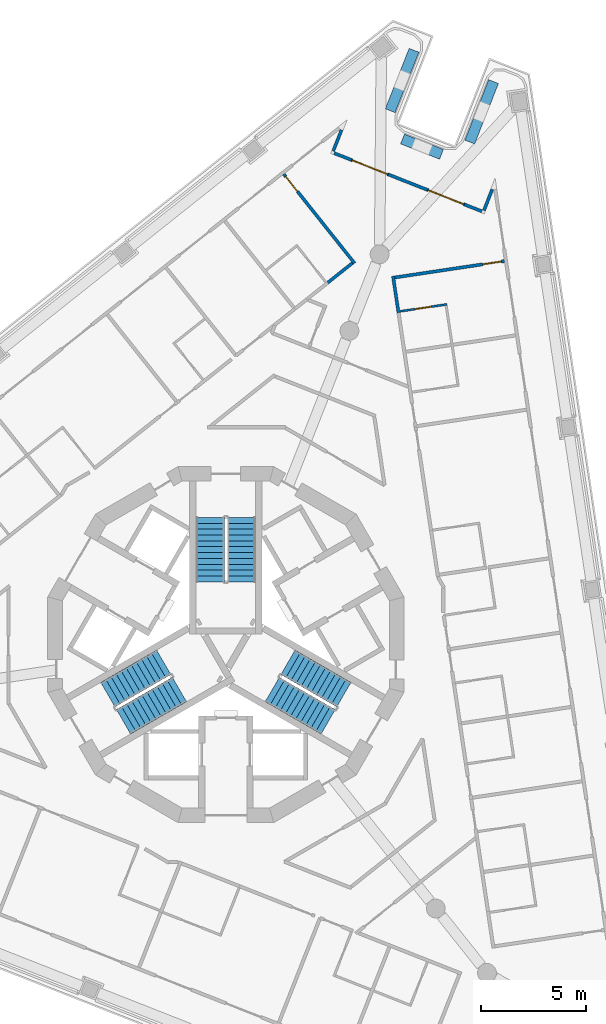
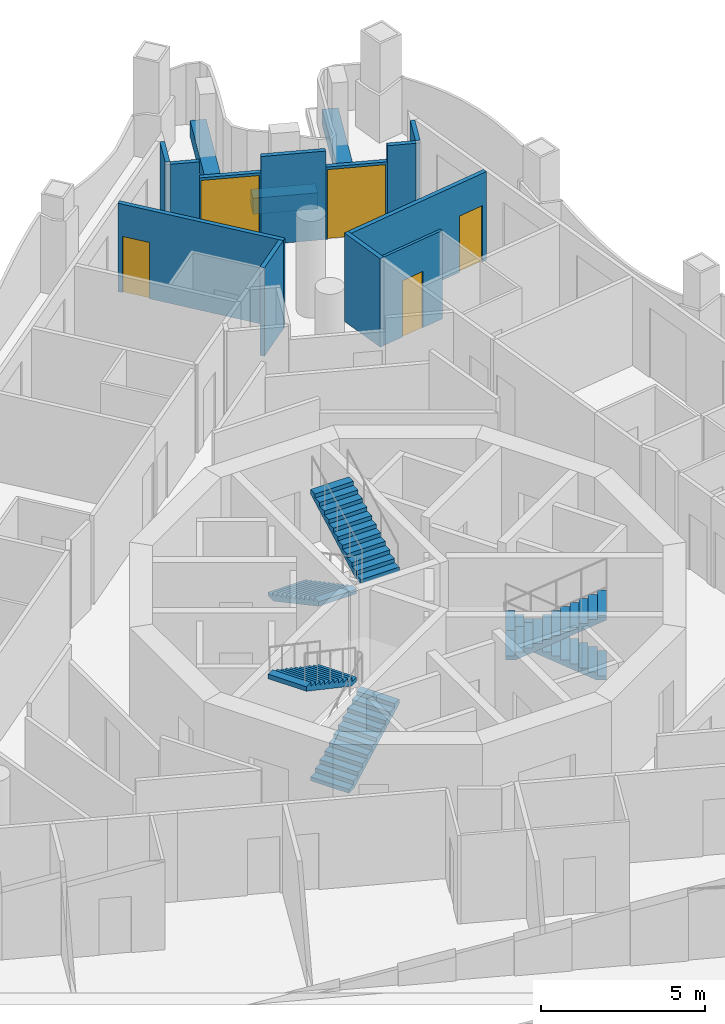
# One storey, part 9 of 16: 15 walls, 6 stair flights, 5 doors, 5 openings, 3 elements without a shape of their own.
"""IFC4 building model written with IfcOpenShell, lengths in metres."""

from ifc_helpers import new_model, si_unit, direction, frame, frame_2d, origin, place, context, subcontext, project, spatial, polyline, rectangle, outline, extrude, material, layer, layer_set, type_object, element, fill, aggregate, save


model = new_model("IFC4")

# Units and contexts
model_context = context("Model", 3, precision=1e-05, world=origin(), true_north=direction((0.0, 1.0)))
body_context = subcontext(model_context, "Body", "Model", "MODEL_VIEW")
ifc_project = project(units=[si_unit("LENGTHUNIT", "METRE"), si_unit("AREAUNIT", "SQUARE_METRE"), si_unit("VOLUMEUNIT", "CUBIC_METRE"), si_unit("PLANEANGLEUNIT", "RADIAN"), si_unit("MASSUNIT", "GRAM", prefix="KILO")], contexts=[model_context])

# Site, building, storey
site_placement = place(None, origin())
site = spatial("IfcSite", under=ifc_project, at=site_placement, CompositionType="ELEMENT")
building_placement = place(site_placement, origin())
building = spatial("IfcBuilding", under=site, at=building_placement, Name="Trine Commons Tower", CompositionType="ELEMENT")
storey_placement = place(building_placement, frame((0.0, 0.0, 223.199951171875)))
storey = spatial("IfcBuildingStorey", under=building, at=storey_placement, Name="L58", CompositionType="ELEMENT", Elevation=223.199951171875)

# Walls
ifc_material_1 = material(Name="Aluminium-framed insulated wall panel", Category="aluminium")
ifc_layer_1 = layer(ifc_material_1, 0.14990234375)
ifc_layer_set_1 = layer_set([ifc_layer_1], Name="Aluminium-framed insulated wall panel")
wall_type_1 = type_object("IfcWallType", Name="Glazed frame wall 150, EI 60", PredefinedType="SOLIDWALL", material=ifc_layer_set_1)
wall_1_placement = place(storey_placement, frame((85.575927734375, 87.201171875, 0.0), z_axis=(0.0, 0.0, 1.0), x_axis=(-0.366472142006, -0.930429024232, 0.0)))
element("IfcWall", 1, at=wall_1_placement, inside=storey, type_object=wall_type_1, Name="Glazed frame wall R2", PredefinedType="SOLIDWALL", context=body_context, shape_type="SweptSolid", body=[
    extrude(outline(polyline([(0.1494140625, 0.074951171875), (0.1494140625, -0.074951171875), (1.235107421875, -0.074951171875), (1.235107421875, 0.074951171875), (0.1494140625, 0.074951171875)])), origin(), (0.0, 0.0, 1.0), 3.300048828125),
])
wall_2_placement = place(storey_placement, frame((85.063232421875, 85.9951171875, 0.0), z_axis=(0.0, 0.0, 1.0), x_axis=(0.930433620143, -0.366460473323, 0.0)))
element("IfcWall", 2, at=wall_2_placement, inside=storey, type_object=wall_type_1, Name="Glazed frame wall P1.1", PredefinedType="SOLIDWALL", context=body_context, shape_type="SweptSolid", body=[
    extrude(outline(polyline([(0.110107421875, -0.074951171875), (1.0, -0.074951171875), (1.0, 0.074951171875), (0.110107421875, 0.074951171875), (0.110107421875, -0.074951171875)])), origin(), (0.0, 0.0, 1.0), 3.300048828125),
])

# Wall, opening, door
wall_3_placement = place(storey_placement, frame((85.99365234375, 85.628662109375, 0.0), z_axis=(0.0, 0.0, 1.0), x_axis=(0.930387146689, -0.366578446279, 0.0)))
wall_3 = element("IfcWall", 3, at=wall_3_placement, inside=storey, type_object=wall_type_1, Name="Glazed frame wall P1.2", PredefinedType="SOLIDWALL", context=body_context, shape_type="SweptSolid", body=[
    extrude(outline(polyline([(0.0, -0.074951171875), (1.89990234375, -0.074951171875), (1.89990234375, 0.074951171875), (0.0, 0.074951171875), (0.0, -0.074951171875)])), origin(), (0.0, 0.0, 1.0), 2.699951171875),
])
opening_1_placement = place(wall_3_placement, frame((0.050048828125, 0.0, 0.0)))
opening_1 = element("IfcOpeningElement", 4, at=opening_1_placement, cuts=wall_3, Name="Opening BD-6P1-01", PredefinedType="OPENING", context=body_context, shape_type="SweptSolid", body=[
    extrude(rectangle(XDim=1.800048828125, YDim=2.60009765625, at=frame_2d((0.89990234375, 1.300048828125))), frame((0.0, 0.0849609375, 0.0), z_axis=(0.0, -1.0, 0.0), x_axis=(1.0, 0.0, 0.0)), (0.0, 0.0, 1.0), 0.169921875),
])
ifc_material_2 = material(Name="Anodised aluminium frame with double glazing", Category="aluminium")
door_type_1 = type_object("IfcDoorType", Name="Sliding loggia door 1800x2600", OperationType="SLIDING_TO_LEFT", PredefinedType="DOOR", material=ifc_material_2)
door_1_placement = place(opening_1_placement, origin())
door_1 = element("IfcDoor", 5, at=door_1_placement, inside=storey, type_object=door_type_1, Name="Loggia door P1 1", OperationType="SLIDING_TO_LEFT", OverallHeight=2.60009765625, OverallWidth=1.800048828125, PredefinedType="DOOR", context=body_context, shape_type="SweptSolid", body=[
    extrude(rectangle(XDim=1.800048828125, YDim=2.60009765625, at=frame_2d((0.89990234375, 1.300048828125))), frame((0.0, 0.02490234375, 0.0), z_axis=(0.0, -1.0, 0.0), x_axis=(1.0, 0.0, 0.0)), (0.0, 0.0, 1.0), 0.050048828125),
])
fill(opening_1, door_1)

# Wall
wall_4_placement = place(storey_placement, frame((87.761474609375, 84.93212890625, 0.0), z_axis=(0.0, 0.0, 1.0), x_axis=(0.930433620143, -0.366460473323, 0.0)))
element("IfcWall", 6, at=wall_4_placement, inside=storey, type_object=wall_type_1, Name="Glazed frame wall P1.3", PredefinedType="SOLIDWALL", context=body_context, shape_type="SweptSolid", body=[
    extrude(outline(polyline([(0.0, -0.074951171875), (2.0, -0.074951171875), (2.0, 0.074951171875), (0.0, 0.074951171875), (0.0, -0.074951171875)])), origin(), (0.0, 0.0, 1.0), 3.300048828125),
])

# Wall, opening, door
wall_5_placement = place(storey_placement, frame((89.622314453125, 84.19921875, 0.0), z_axis=(0.0, 0.0, 1.0), x_axis=(0.930387146689, -0.366578446279, 0.0)))
wall_5 = element("IfcWall", 7, at=wall_5_placement, inside=storey, type_object=wall_type_1, Name="Glazed frame wall P1.4", PredefinedType="SOLIDWALL", context=body_context, shape_type="SweptSolid", body=[
    extrude(outline(polyline([(0.0, -0.074951171875), (1.89990234375, -0.074951171875), (1.89990234375, 0.074951171875), (0.0, 0.074951171875), (0.0, -0.074951171875)])), origin(), (0.0, 0.0, 1.0), 2.699951171875),
])
opening_2_placement = place(wall_5_placement, frame((0.050048828125, 0.0, 0.0)))
opening_2 = element("IfcOpeningElement", 8, at=opening_2_placement, cuts=wall_5, Name="Opening BD-6P1-02", PredefinedType="OPENING", context=body_context, shape_type="SweptSolid", body=[
    extrude(rectangle(XDim=1.800048828125, YDim=2.60009765625, at=frame_2d((0.89990234375, 1.300048828125))), frame((0.0, 0.0849609375, 0.0), z_axis=(0.0, -1.0, 0.0), x_axis=(1.0, 0.0, 0.0)), (0.0, 0.0, 1.0), 0.169921875),
])
door_2_placement = place(opening_2_placement, origin())
door_2 = element("IfcDoor", 9, at=door_2_placement, inside=storey, type_object=door_type_1, Name="Loggia door P1 2", OperationType="SLIDING_TO_LEFT", OverallHeight=2.60009765625, OverallWidth=1.800048828125, PredefinedType="DOOR", context=body_context, shape_type="SweptSolid", body=[
    extrude(rectangle(XDim=1.800048828125, YDim=2.60009765625, at=frame_2d((0.89990234375, 1.300048828125))), frame((0.0, 0.02490234375, 0.0), z_axis=(0.0, -1.0, 0.0), x_axis=(1.0, 0.0, 0.0)), (0.0, 0.0, 1.0), 0.050048828125),
])
fill(opening_2, door_2)

# Walls
wall_6_placement = place(storey_placement, frame((91.39013671875, 83.502685546875, 0.0), z_axis=(0.0, 0.0, 1.0), x_axis=(0.930433620143, -0.366460473323, 0.0)))
element("IfcWall", 10, at=wall_6_placement, inside=storey, type_object=wall_type_1, Name="Glazed frame wall P1.5", PredefinedType="SOLIDWALL", context=body_context, shape_type="SweptSolid", body=[
    extrude(outline(polyline([(0.889892578125, 0.074951171875), (0.0, 0.074951171875), (0.0, -0.074951171875), (0.889892578125, -0.074951171875), (0.889892578125, 0.074951171875)])), origin(), (0.0, 0.0, 1.0), 3.300048828125),
])
wall_7_placement = place(storey_placement, frame((92.275146484375, 83.11669921875, 0.0), z_axis=(0.0, 0.0, 1.0), x_axis=(0.366534042844, 0.9304046407, 0.0)))
element("IfcWall", 11, at=wall_7_placement, inside=storey, type_object=wall_type_1, Name="Glazed frame wall R4", PredefinedType="SOLIDWALL", context=body_context, shape_type="SweptSolid", body=[
    extrude(outline(polyline([(0.110107421875, 0.074951171875), (0.110107421875, -0.074951171875), (1.19580078125, -0.074951171875), (1.19580078125, 0.074951171875), (0.110107421875, 0.074951171875)])), origin(), (0.0, 0.0, 1.0), 3.300048828125),
])
ifc_material_3 = material(Name="Planter trough, precast concrete C40/50", Category="concrete")
ifc_layer_2 = layer(ifc_material_3, 0.5)
ifc_layer_set_2 = layer_set([ifc_layer_2], Name="Planter trough, precast concrete C40/50")
wall_type_2 = type_object("IfcWallType", Name="Planter trough 500x600", PredefinedType="PARAPET", material=ifc_layer_set_2)
wall_8_placement = place(storey_placement, frame((88.97998046875, 90.86328125, 0.0), z_axis=(0.0, 0.0, 1.0), x_axis=(-0.366456340628, -0.930435247835, 0.0)))
element("IfcWall", 12, at=wall_8_placement, inside=storey, type_object=wall_type_2, Name="Planter 4", PredefinedType="PARAPET", context=body_context, shape_type="SweptSolid", body=[
    extrude(rectangle(XDim=3.099853515625, YDim=0.5, at=frame_2d((1.5498046875, 0.0))), origin(), (0.0, 0.0, 1.0), 0.60009765625),
])
wall_9_placement = place(storey_placement, frame((88.430419921875, 86.630126953125, 0.0), z_axis=(0.0, 0.0, 1.0), x_axis=(0.930417223886, -0.366502100263, 0.0)))
element("IfcWall", 13, at=wall_9_placement, inside=storey, type_object=wall_type_2, Name="Planter 5", PredefinedType="PARAPET", context=body_context, shape_type="SweptSolid", body=[
    extrude(rectangle(XDim=1.999755859375, YDim=0.5, at=frame_2d((1.0, 0.0))), origin(), (0.0, 0.0, 1.0), 0.60009765625),
])
wall_10_placement = place(storey_placement, frame((91.639892578125, 86.483642578125, 0.0), z_axis=(0.0, 0.0, 1.0), x_axis=(0.366524518382, 0.930408392817, 0.0)))
element("IfcWall", 14, at=wall_10_placement, inside=storey, type_object=wall_type_2, Name="Planter 6", PredefinedType="PARAPET", context=body_context, shape_type="SweptSolid", body=[
    extrude(rectangle(XDim=3.10009765625, YDim=0.5, at=frame_2d((1.550048828125, 0.0))), origin(), (0.0, 0.0, 1.0), 0.60009765625),
])

# Wall, opening, door
ifc_material_4 = material(Name="Gypsum plasterboard on steel stud", Category="steel")
ifc_layer_3 = layer(ifc_material_4, 0.14990234375)
ifc_layer_set_3 = layer_set([ifc_layer_3], Name="Gypsum plasterboard on steel stud")
wall_type_3 = type_object("IfcWallType", Name="Unit and corridor wall 150 mm, EI 60", PredefinedType="PARTITIONING", material=ifc_layer_set_3)
wall_11_placement = place(storey_placement, frame((82.761962890625, 84.94970703125, 0.0), z_axis=(0.0, 0.0, 1.0), x_axis=(0.622457280045, -0.782653776915, 0.0)))
wall_11 = element("IfcWall", 15, at=wall_11_placement, inside=storey, type_object=wall_type_3, Name="Partition 061", PredefinedType="PARTITIONING", context=body_context, shape_type="SweptSolid", body=[
    extrude(rectangle(XDim=5.4345703125, YDim=0.14990234375, at=frame_2d((2.71728515625, 0.0))), origin(), (0.0, 0.0, 1.0), 3.300048828125),
])
opening_3_placement = place(wall_11_placement, frame((0.14990234375, 0.0, 0.0)))
opening_3 = element("IfcOpeningElement", 16, at=opening_3_placement, cuts=wall_11, Name="Opening D-6C11", PredefinedType="OPENING", context=body_context, shape_type="SweptSolid", body=[
    extrude(rectangle(XDim=0.89990234375, YDim=2.10009765625, at=frame_2d((0.449951171875, 1.050048828125))), frame((0.0, 0.0849609375, 0.0), z_axis=(0.0, -1.0, 0.0), x_axis=(1.0, 0.0, 0.0)), (0.0, 0.0, 1.0), 0.169921875),
])
ifc_material_5 = material(Name="Timber fire door set", Category="wood")
door_type_2 = type_object("IfcDoorType", Name="Bedroom door 900 x 2100, FD30S", OperationType="NOTDEFINED", PredefinedType="DOOR", material=ifc_material_5)
door_3_placement = place(opening_3_placement, frame((0.89990234375, 0.0, 0.0), z_axis=(0.0, 0.0, 1.0), x_axis=(-1.0, 0.0, 0.0)))
door_3 = element("IfcDoor", 17, at=door_3_placement, inside=storey, type_object=door_type_2, Name="Door D-6C11", OperationType="SINGLE_SWING_RIGHT", OverallHeight=2.10009765625, OverallWidth=0.89990234375, PredefinedType="DOOR", context=body_context, shape_type="SweptSolid", body=[
    extrude(rectangle(XDim=0.89990234375, YDim=2.10009765625, at=frame_2d((0.449951171875, 1.050048828125))), frame((0.0, 0.02490234375, 0.0), z_axis=(0.0, -1.0, 0.0), x_axis=(1.0, 0.0, 0.0)), (0.0, 0.0, 1.0), 0.050048828125),
])
fill(opening_3, door_3)

# Walls
wall_12_placement = place(storey_placement, frame((84.81494140625, 79.735107421875, 0.0), z_axis=(0.0, 0.0, 1.0), x_axis=(0.782844700833, 0.622217144072, 0.0)))
element("IfcWall", 18, at=wall_12_placement, inside=storey, type_object=wall_type_3, Name="Partition 072", PredefinedType="PARTITIONING", context=body_context, shape_type="SweptSolid", body=[
    extrude(rectangle(XDim=1.56396484375, YDim=0.14990234375, at=frame_2d((0.781982421875, 0.0))), origin(), (0.0, 0.0, 1.0), 3.300048828125),
])
wall_13_placement = place(storey_placement, frame((87.97900390625, 80.084228515625, 0.0), z_axis=(0.0, 0.0, 1.0), x_axis=(0.147576156068, -0.989050695445, 0.0)))
element("IfcWall", 19, at=wall_13_placement, inside=storey, type_object=wall_type_3, Name="Partition 083", PredefinedType="PARTITIONING", context=body_context, shape_type="SweptSolid", body=[
    extrude(rectangle(XDim=1.76513671875, YDim=0.14990234375, at=frame_2d((0.882568359375, 0.0))), origin(), (0.0, 0.0, 1.0), 3.300048828125),
])

# Wall, opening, door
wall_14_placement = place(storey_placement, frame((88.064208984375, 80.02099609375, 0.0), z_axis=(0.0, 0.0, 1.0), x_axis=(0.988994889639, 0.147949681543, 0.0)))
wall_14 = element("IfcWall", 20, at=wall_14_placement, inside=storey, type_object=wall_type_3, Name="Partition 084", PredefinedType="PARTITIONING", context=body_context, shape_type="SweptSolid", body=[
    extrude(rectangle(XDim=5.285400390625, YDim=0.14990234375, at=frame_2d((2.642578125, 0.0))), origin(), (0.0, 0.0, 1.0), 3.300048828125),
])
opening_4_placement = place(wall_14_placement, frame((4.2353515625, 0.0, 0.0)))
opening_4 = element("IfcOpeningElement", 21, at=opening_4_placement, cuts=wall_14, Name="Opening D-6C12", PredefinedType="OPENING", context=body_context, shape_type="SweptSolid", body=[
    extrude(rectangle(XDim=0.89990234375, YDim=2.10009765625, at=frame_2d((0.449951171875, 1.050048828125))), frame((0.0, 0.0849609375, 0.0), z_axis=(0.0, -1.0, 0.0), x_axis=(1.0, 0.0, 0.0)), (0.0, 0.0, 1.0), 0.169921875),
])
door_4_placement = place(opening_4_placement, frame((0.89990234375, 0.0, 0.0), z_axis=(0.0, 0.0, 1.0), x_axis=(-1.0, 0.0, 0.0)))
door_4 = element("IfcDoor", 22, at=door_4_placement, inside=storey, type_object=door_type_2, Name="Door D-6C12", OperationType="SINGLE_SWING_LEFT", OverallHeight=2.10009765625, OverallWidth=0.89990234375, PredefinedType="DOOR", context=body_context, shape_type="SweptSolid", body=[
    extrude(rectangle(XDim=0.89990234375, YDim=2.10009765625, at=frame_2d((0.449951171875, 1.050048828125))), frame((0.0, 0.02490234375, 0.0), z_axis=(0.0, -1.0, 0.0), x_axis=(1.0, 0.0, 0.0)), (0.0, 0.0, 1.0), 0.050048828125),
])
fill(opening_4, door_4)

ifc_layer_4 = layer(ifc_material_4, 0.10009765625)
ifc_layer_set_4 = layer_set([ifc_layer_4], Name="Gypsum plasterboard on steel stud")
wall_type_4 = type_object("IfcWallType", Name="Unit partition 100 mm, no rating", PredefinedType="PARTITIONING", material=ifc_layer_set_4)
wall_15_placement = place(storey_placement, frame((88.30615234375, 78.403076171875, 0.0), z_axis=(0.0, 0.0, 1.0), x_axis=(0.989007860101, 0.147862952286, 0.0)))
wall_15 = element("IfcWall", 23, at=wall_15_placement, inside=storey, type_object=wall_type_4, Name="Partition 086", PredefinedType="PARTITIONING", context=body_context, shape_type="SweptSolid", body=[
    extrude(rectangle(XDim=2.275146484375, YDim=0.10009765625, at=frame_2d((1.1376953125, 0.0))), origin(), (0.0, 0.0, 1.0), 3.300048828125),
])
opening_5_placement = place(wall_15_placement, frame((0.712646484375, 0.0, 0.0)))
opening_5 = element("IfcOpeningElement", 24, at=opening_5_placement, cuts=wall_15, Name="Opening D-6C35", PredefinedType="OPENING", context=body_context, shape_type="SweptSolid", body=[
    extrude(rectangle(XDim=0.800048828125, YDim=2.10009765625, at=frame_2d((0.39990234375, 1.050048828125))), frame((0.0, 0.06005859375, 0.0), z_axis=(0.0, -1.0, 0.0), x_axis=(1.0, 0.0, 0.0)), (0.0, 0.0, 1.0), 0.1201171875),
])
ifc_material_6 = material(Name="Painted timber", Category="wood")
door_type_3 = type_object("IfcDoorType", Name="Internal door 800 x 2100, NOT RATED", OperationType="NOTDEFINED", PredefinedType="DOOR", material=ifc_material_6)
door_5_placement = place(opening_5_placement, origin())
door_5 = element("IfcDoor", 25, at=door_5_placement, inside=storey, type_object=door_type_3, Name="Door D-6C35", OperationType="SINGLE_SWING_LEFT", OverallHeight=2.10009765625, OverallWidth=0.800048828125, PredefinedType="DOOR", context=body_context, shape_type="SweptSolid", body=[
    extrude(rectangle(XDim=0.800048828125, YDim=2.10009765625, at=frame_2d((0.39990234375, 1.050048828125))), frame((0.0, 0.02490234375, 0.0), z_axis=(0.0, -1.0, 0.0), x_axis=(1.0, 0.0, 0.0)), (0.0, 0.0, 1.0), 0.050048828125),
])
fill(opening_5, door_5)

# Stair, stair flights
ifc_material_7 = material(Name="Concrete C50/60", Category="concrete")
stair_type = type_object("IfcStairType", Name="Exit stair, dog-leg, 24 risers of 150 mm", PredefinedType="HALF_TURN_STAIR", material=ifc_material_7)
stair_1_placement = place(storey_placement, origin())
stair_1 = element("IfcStair", 26, at=stair_1_placement, inside=storey, type_object=stair_type, Name="L58 Exit stair ST1C", PredefinedType="HALF_TURN_STAIR")
stair_flight_type = type_object("IfcStairFlightType", Name="Stair flight, 1350 wide, 12 risers of 150 mm", PredefinedType="STRAIGHT", material=ifc_material_7)
stair_flight_1_placement = place(storey_placement, frame((79.25, 68.570556640625, 0.0), z_axis=(0.0, 0.0, 1.0), x_axis=(0.0, -1.0, 0.0)))
stair_flight_1 = element("IfcStairFlight", 27, at=stair_flight_1_placement, type_object=stair_flight_type, Name="ST1C flight 1", NumberOfRisers=12, NumberOfTreads=11, PredefinedType="STRAIGHT", RiserHeight=0.15, TreadLength=0.28, context=body_context, shape_type="SweptSolid", body=[
    extrude(outline(polyline([(0.0, 0.0), (0.0, 0.14990234375), (0.280029296875, 0.14990234375), (0.280029296875, 0.300048828125), (0.56005859375, 0.300048828125), (0.56005859375, 0.449951171875), (0.840087890625, 0.449951171875), (0.840087890625, 0.60009765625), (1.1201171875, 0.60009765625), (1.1201171875, 0.75), (1.39990234375, 0.75), (1.39990234375, 0.89990234375), (1.679931640625, 0.89990234375), (1.679931640625, 1.050048828125), (1.9599609375, 1.050048828125), (1.9599609375, 1.199951171875), (2.239990234375, 1.199951171875), (2.239990234375, 1.35009765625), (2.52001953125, 1.35009765625), (2.52001953125, 1.5), (2.800048828125, 1.5), (2.800048828125, 1.64990234375), (3.080078125, 1.64990234375), (3.080078125, 1.800048828125), (3.080078125, 1.47998046875), (0.3173828125, 0.0), (0.0, 0.0)])), frame((0.0, 0.675048828125, 0.0), z_axis=(0.0, -1.0, 0.0), x_axis=(1.0, 0.0, 0.0)), (0.0, 0.0, 1.0), 1.35009765625),
])
stair_flight_2_placement = place(storey_placement, frame((80.75, 65.490478515625, 1.800048828125), z_axis=(0.0, 0.0, 1.0), x_axis=(0.0, 1.0, 0.0)))
stair_flight_2 = element("IfcStairFlight", 28, at=stair_flight_2_placement, type_object=stair_flight_type, Name="ST1C flight 2", NumberOfRisers=12, NumberOfTreads=11, PredefinedType="STRAIGHT", RiserHeight=0.15, TreadLength=0.28, context=body_context, shape_type="SweptSolid", body=[
    extrude(outline(polyline([(0.0, 0.0), (0.0, 0.14990234375), (0.280029296875, 0.14990234375), (0.280029296875, 0.300048828125), (0.56005859375, 0.300048828125), (0.56005859375, 0.449951171875), (0.840087890625, 0.449951171875), (0.840087890625, 0.60009765625), (1.1201171875, 0.60009765625), (1.1201171875, 0.75), (1.39990234375, 0.75), (1.39990234375, 0.89990234375), (1.679931640625, 0.89990234375), (1.679931640625, 1.050048828125), (1.9599609375, 1.050048828125), (1.9599609375, 1.199951171875), (2.239990234375, 1.199951171875), (2.239990234375, 1.35009765625), (2.52001953125, 1.35009765625), (2.52001953125, 1.5), (2.800048828125, 1.5), (2.800048828125, 1.64990234375), (3.080078125, 1.64990234375), (3.080078125, 1.800048828125), (3.080078125, 1.47998046875), (0.3173828125, 0.0), (0.0, 0.0)])), frame((0.0, 0.675048828125, 0.0), z_axis=(0.0, -1.0, 0.0), x_axis=(1.0, 0.0, 0.0)), (0.0, 0.0, 1.0), 1.35009765625),
])
aggregate(stair_1, [stair_flight_1, stair_flight_2])

stair_2_placement = place(storey_placement, origin())
stair_2 = element("IfcStair", 29, at=stair_2_placement, inside=storey, type_object=stair_type, Name="L58 Exit stair ST2C", PredefinedType="HALF_TURN_STAIR")
stair_flight_3_placement = place(storey_placement, frame((75.11767578125, 58.815185546875, 0.0), z_axis=(0.0, 0.0, 1.0), x_axis=(0.866025403784, 0.5, 0.0)))
stair_flight_3 = element("IfcStairFlight", 30, at=stair_flight_3_placement, type_object=stair_flight_type, Name="ST2C flight 1", NumberOfRisers=12, NumberOfTreads=11, PredefinedType="STRAIGHT", RiserHeight=0.15, TreadLength=0.28, context=body_context, shape_type="SweptSolid", body=[
    extrude(outline(polyline([(0.0, 0.0), (0.0, 0.14990234375), (0.280029296875, 0.14990234375), (0.280029296875, 0.300048828125), (0.56005859375, 0.300048828125), (0.56005859375, 0.449951171875), (0.840087890625, 0.449951171875), (0.840087890625, 0.60009765625), (1.1201171875, 0.60009765625), (1.1201171875, 0.75), (1.39990234375, 0.75), (1.39990234375, 0.89990234375), (1.679931640625, 0.89990234375), (1.679931640625, 1.050048828125), (1.9599609375, 1.050048828125), (1.9599609375, 1.199951171875), (2.239990234375, 1.199951171875), (2.239990234375, 1.35009765625), (2.52001953125, 1.35009765625), (2.52001953125, 1.5), (2.800048828125, 1.5), (2.800048828125, 1.64990234375), (3.080078125, 1.64990234375), (3.080078125, 1.800048828125), (3.080078125, 1.47998046875), (0.3173828125, 0.0), (0.0, 0.0)])), frame((0.0, 0.675048828125, 0.0), z_axis=(0.0, -1.0, 0.0), x_axis=(1.0, 0.0, 0.0)), (0.0, 0.0, 1.0), 1.35009765625),
])
stair_flight_4_placement = place(storey_placement, frame((77.03515625, 61.654296875, 1.800048828125), z_axis=(0.0, 0.0, 1.0), x_axis=(-0.866025403784, -0.5, 0.0)))
stair_flight_4 = element("IfcStairFlight", 31, at=stair_flight_4_placement, type_object=stair_flight_type, Name="ST2C flight 2", NumberOfRisers=12, NumberOfTreads=11, PredefinedType="STRAIGHT", RiserHeight=0.15, TreadLength=0.28, context=body_context, shape_type="SweptSolid", body=[
    extrude(outline(polyline([(0.0, 0.0), (0.0, 0.14990234375), (0.280029296875, 0.14990234375), (0.280029296875, 0.300048828125), (0.56005859375, 0.300048828125), (0.56005859375, 0.449951171875), (0.840087890625, 0.449951171875), (0.840087890625, 0.60009765625), (1.1201171875, 0.60009765625), (1.1201171875, 0.75), (1.39990234375, 0.75), (1.39990234375, 0.89990234375), (1.679931640625, 0.89990234375), (1.679931640625, 1.050048828125), (1.9599609375, 1.050048828125), (1.9599609375, 1.199951171875), (2.239990234375, 1.199951171875), (2.239990234375, 1.35009765625), (2.52001953125, 1.35009765625), (2.52001953125, 1.5), (2.800048828125, 1.5), (2.800048828125, 1.64990234375), (3.080078125, 1.64990234375), (3.080078125, 1.800048828125), (3.080078125, 1.47998046875), (0.3173828125, 0.0), (0.0, 0.0)])), frame((0.0, 0.675048828125, 0.0), z_axis=(0.0, -1.0, 0.0), x_axis=(1.0, 0.0, 0.0)), (0.0, 0.0, 1.0), 1.35009765625),
])
aggregate(stair_2, [stair_flight_3, stair_flight_4])

stair_3_placement = place(storey_placement, origin())
stair_3 = element("IfcStair", 32, at=stair_3_placement, inside=storey, type_object=stair_type, Name="L58 Exit stair ST3C", PredefinedType="HALF_TURN_STAIR")
stair_flight_5_placement = place(storey_placement, frame((85.63232421875, 60.1142578125, 0.0), z_axis=(0.0, 0.0, 1.0), x_axis=(-0.866025403784, 0.5, 0.0)))
stair_flight_5 = element("IfcStairFlight", 33, at=stair_flight_5_placement, type_object=stair_flight_type, Name="ST3C flight 1", NumberOfRisers=12, NumberOfTreads=11, PredefinedType="STRAIGHT", RiserHeight=0.15, TreadLength=0.28, context=body_context, shape_type="SweptSolid", body=[
    extrude(outline(polyline([(0.0, 0.0), (0.0, 0.14990234375), (0.280029296875, 0.14990234375), (0.280029296875, 0.300048828125), (0.56005859375, 0.300048828125), (0.56005859375, 0.449951171875), (0.840087890625, 0.449951171875), (0.840087890625, 0.60009765625), (1.1201171875, 0.60009765625), (1.1201171875, 0.75), (1.39990234375, 0.75), (1.39990234375, 0.89990234375), (1.679931640625, 0.89990234375), (1.679931640625, 1.050048828125), (1.9599609375, 1.050048828125), (1.9599609375, 1.199951171875), (2.239990234375, 1.199951171875), (2.239990234375, 1.35009765625), (2.52001953125, 1.35009765625), (2.52001953125, 1.5), (2.800048828125, 1.5), (2.800048828125, 1.64990234375), (3.080078125, 1.64990234375), (3.080078125, 1.800048828125), (3.080078125, 1.47998046875), (0.3173828125, 0.0), (0.0, 0.0)])), frame((0.0, 0.675048828125, 0.0), z_axis=(0.0, -1.0, 0.0), x_axis=(1.0, 0.0, 0.0)), (0.0, 0.0, 1.0), 1.35009765625),
])
stair_flight_6_placement = place(storey_placement, frame((82.21484375, 60.355224609375, 1.800048828125), z_axis=(0.0, 0.0, 1.0), x_axis=(0.866025403784, -0.5, 0.0)))
stair_flight_6 = element("IfcStairFlight", 34, at=stair_flight_6_placement, type_object=stair_flight_type, Name="ST3C flight 2", NumberOfRisers=12, NumberOfTreads=11, PredefinedType="STRAIGHT", RiserHeight=0.15, TreadLength=0.28, context=body_context, shape_type="SweptSolid", body=[
    extrude(outline(polyline([(0.0, 0.0), (0.0, 0.14990234375), (0.280029296875, 0.14990234375), (0.280029296875, 0.300048828125), (0.56005859375, 0.300048828125), (0.56005859375, 0.449951171875), (0.840087890625, 0.449951171875), (0.840087890625, 0.60009765625), (1.1201171875, 0.60009765625), (1.1201171875, 0.75), (1.39990234375, 0.75), (1.39990234375, 0.89990234375), (1.679931640625, 0.89990234375), (1.679931640625, 1.050048828125), (1.9599609375, 1.050048828125), (1.9599609375, 1.199951171875), (2.239990234375, 1.199951171875), (2.239990234375, 1.35009765625), (2.52001953125, 1.35009765625), (2.52001953125, 1.5), (2.800048828125, 1.5), (2.800048828125, 1.64990234375), (3.080078125, 1.64990234375), (3.080078125, 1.800048828125), (3.080078125, 1.47998046875), (0.3173828125, 0.0), (0.0, 0.0)])), frame((0.0, 0.675048828125, 0.0), z_axis=(0.0, -1.0, 0.0), x_axis=(1.0, 0.0, 0.0)), (0.0, 0.0, 1.0), 1.35009765625),
])
aggregate(stair_3, [stair_flight_5, stair_flight_6])

save(model, "model.ifc")
